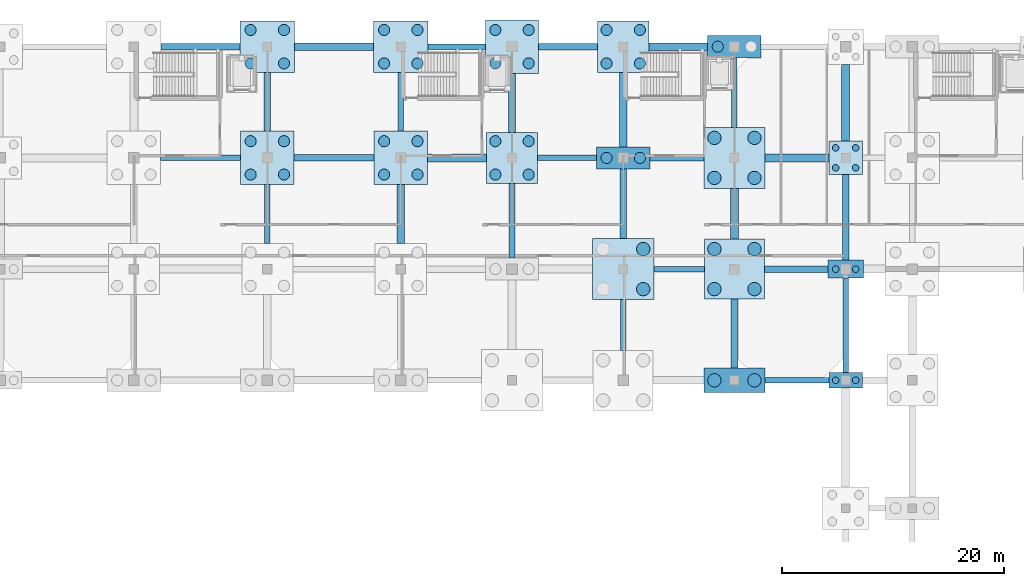
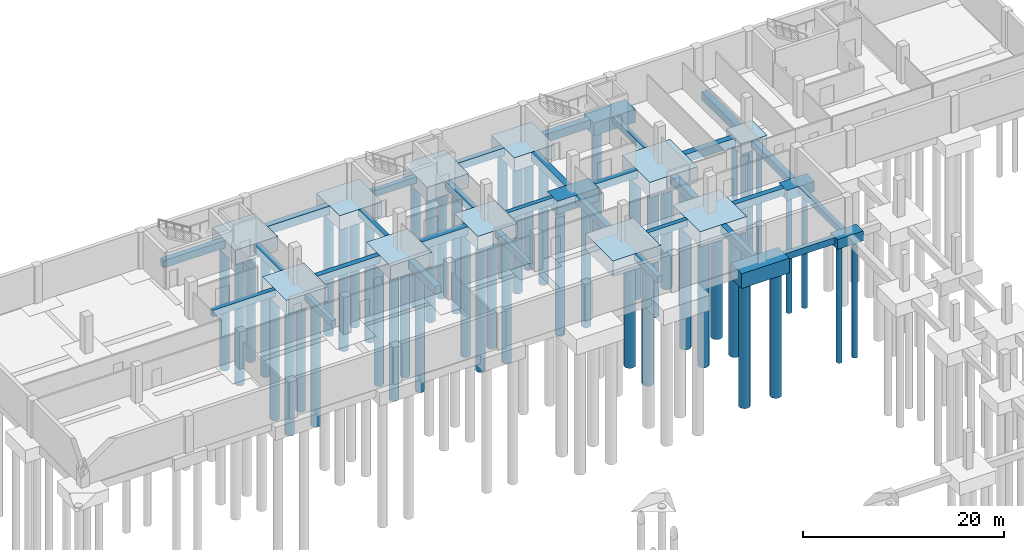
# One storey, part 5 of 19: 51 piles, 45 footings.
"""IFC4 building model written with IfcOpenShell, lengths in metres."""

from ifc_helpers import new_model, si_unit, direction, frame, origin, origin_2d, place, context, subcontext, project, spatial, polyline, rectangle, circle, outline, extrude, material, material_profile, profile_set, type_object, element, save


model = new_model("IFC4")

# Units and contexts
model_context = context("Model", 3, precision=1e-05, world=origin(), true_north=direction((0.0, 1.0)))
body_context = subcontext(model_context, "Body", "Model", "MODEL_VIEW")
ifc_project = project(units=[si_unit("LENGTHUNIT", "METRE"), si_unit("AREAUNIT", "SQUARE_METRE"), si_unit("VOLUMEUNIT", "CUBIC_METRE"), si_unit("PLANEANGLEUNIT", "RADIAN"), si_unit("MASSUNIT", "GRAM", prefix="KILO")], contexts=[model_context])

# Site, building, storey
site_placement = place(None, origin())
site = spatial("IfcSite", under=ifc_project, at=site_placement, CompositionType="ELEMENT")
building_placement = place(site_placement, origin())
building = spatial("IfcBuilding", under=site, at=building_placement, Name="Mersad Railyard Sports Hall", CompositionType="ELEMENT")
storey_placement = place(building_placement, frame((0.0, 0.0, -4.5)))
storey = spatial("IfcBuildingStorey", under=building, at=storey_placement, Name="B1", CompositionType="ELEMENT", Elevation=-4.5)

# Footings
ifc_material = material(Name="Concrete C40/50", Category="concrete")
footing_type_1 = type_object("IfcFootingType", Name="STR-FT-FB01", PredefinedType="FOOTING_BEAM", material=ifc_material)
footing_1_placement = place(storey_placement, frame((0.0, 0.0, -0.800048828125)))
element("IfcFooting", 1, at=footing_1_placement, inside=storey, type_object=footing_type_1, Name="Ground beam FB01-0064", PredefinedType="FOOTING_BEAM", context=body_context, shape_type="SweptSolid", body=[
    extrude(outline(polyline([(123.75, 84.75), (129.5, 84.75), (129.5, 85.25), (123.75, 85.25), (123.75, 84.75)])), origin(), (0.0, 0.0, 1.0), 0.800048828125),
])
footing_2_placement = place(storey_placement, frame((0.0, 0.0, -0.800048828125)))
element("IfcFooting", 2, at=footing_2_placement, inside=storey, type_object=footing_type_1, Name="Ground beam FB01-0073", PredefinedType="FOOTING_BEAM", context=body_context, shape_type="SweptSolid", body=[
    extrude(outline(polyline([(113.75, 94.75), (118.300048828125, 94.75), (118.300048828125, 95.25), (113.75, 95.25), (113.75, 94.75)])), origin(), (0.0, 0.0, 1.0), 0.800048828125),
])
footing_3_placement = place(storey_placement, frame((0.0, 0.0, -0.800048828125)))
element("IfcFooting", 3, at=footing_3_placement, inside=storey, type_object=footing_type_1, Name="Ground beam FB01-0082", PredefinedType="FOOTING_BEAM", context=body_context, shape_type="SweptSolid", body=[
    extrude(outline(polyline([(69.39990234375, 104.75), (76.60009765625, 104.75), (76.60009765625, 105.25), (69.39990234375, 105.25), (69.39990234375, 104.75)])), origin(), (0.0, 0.0, 1.0), 0.800048828125),
])
footing_4_placement = place(storey_placement, frame((0.0, 0.0, -0.800048828125)))
element("IfcFooting", 4, at=footing_4_placement, inside=storey, type_object=footing_type_1, Name="Ground beam FB01-0085", PredefinedType="FOOTING_BEAM", context=body_context, shape_type="SweptSolid", body=[
    extrude(outline(polyline([(103.300048828125, 104.75), (108.60009765625, 104.75), (108.60009765625, 105.25), (103.300048828125, 105.25), (103.300048828125, 104.75)])), origin(), (0.0, 0.0, 1.0), 0.800048828125),
])
footing_5_placement = place(storey_placement, frame((0.0, 0.0, -0.800048828125)))
element("IfcFooting", 5, at=footing_5_placement, inside=storey, type_object=footing_type_1, Name="Ground beam FB01-0097", PredefinedType="FOOTING_BEAM", context=body_context, shape_type="SweptSolid", body=[
    extrude(outline(polyline([(93.449951171875, 114.75), (98.60009765625, 114.75), (98.60009765625, 115.25), (93.449951171875, 115.25), (93.449951171875, 114.75)])), origin(), (0.0, 0.0, 1.0), 0.800048828125),
])
footing_6_placement = place(storey_placement, frame((0.0, 0.0, -0.800048828125)))
element("IfcFooting", 6, at=footing_6_placement, inside=storey, type_object=footing_type_1, Name="Ground beam FB01-0130", PredefinedType="FOOTING_BEAM", context=body_context, shape_type="SweptSolid", body=[
    extrude(outline(polyline([(78.75, 97.300048828125), (79.25, 97.300048828125), (79.25, 102.60009765625), (78.75, 102.60009765625), (78.75, 97.300048828125)])), origin(), (0.0, 0.0, 1.0), 0.800048828125),
])
footing_7_placement = place(storey_placement, frame((0.0, 0.0, -0.800048828125)))
element("IfcFooting", 7, at=footing_7_placement, inside=storey, type_object=footing_type_1, Name="Ground beam FB01-0136", PredefinedType="FOOTING_BEAM", context=body_context, shape_type="SweptSolid", body=[
    extrude(outline(polyline([(90.75, 107.39990234375), (91.25, 107.39990234375), (91.25, 112.699951171875), (90.75, 112.699951171875), (90.75, 107.39990234375)])), origin(), (0.0, 0.0, 1.0), 0.800048828125),
])
footing_8_placement = place(storey_placement, frame((0.0, 0.0, -0.800048828125)))
element("IfcFooting", 8, at=footing_8_placement, inside=storey, type_object=footing_type_1, Name="Ground beam FB01-0139", PredefinedType="FOOTING_BEAM", context=body_context, shape_type="SweptSolid", body=[
    extrude(outline(polyline([(100.75, 96.0), (101.25, 96.0), (101.25, 102.699951171875), (100.75, 102.699951171875), (100.75, 96.0)])), origin(), (0.0, 0.0, 1.0), 0.800048828125),
])
footing_9_placement = place(storey_placement, frame((0.0, 0.0, -0.800048828125)))
element("IfcFooting", 9, at=footing_9_placement, inside=storey, type_object=footing_type_1, Name="Ground beam FB01-0142", PredefinedType="FOOTING_BEAM", context=body_context, shape_type="SweptSolid", body=[
    extrude(outline(polyline([(110.75, 87.699951171875), (111.25, 87.699951171875), (111.25, 92.25), (110.75, 92.25), (110.75, 87.699951171875)])), origin(), (0.0, 0.0, 1.0), 0.800048828125),
])
footing_10_placement = place(storey_placement, frame((0.0, 0.0, -0.800048828125)))
element("IfcFooting", 10, at=footing_10_placement, inside=storey, type_object=footing_type_1, Name="Ground beam FB01-0148", PredefinedType="FOOTING_BEAM", context=body_context, shape_type="SweptSolid", body=[
    extrude(outline(polyline([(120.75, 107.75), (121.25, 107.75), (121.25, 114.0), (120.75, 114.0), (120.75, 107.75)])), origin(), (0.0, 0.0, 1.0), 0.800048828125),
])
footing_11_placement = place(storey_placement, frame((0.0, 0.0, -0.800048828125)))
element("IfcFooting", 11, at=footing_11_placement, inside=storey, type_object=footing_type_1, Name="Ground beam FB01-0157", PredefinedType="FOOTING_BEAM", context=body_context, shape_type="SweptSolid", body=[
    extrude(outline(polyline([(130.75, 85.699951171875), (131.25, 85.699951171875), (131.25, 94.199951171875), (130.75, 94.199951171875), (130.75, 85.699951171875)])), origin(), (0.0, 0.0, 1.0), 0.800048828125),
])
footing_type_2 = type_object("IfcFootingType", Name="STR-FT-FB02", PredefinedType="FOOTING_BEAM", material=ifc_material)
footing_12_placement = place(storey_placement, frame((0.0, 0.0, -0.89990234375)))
element("IfcFooting", 12, at=footing_12_placement, inside=storey, type_object=footing_type_2, Name="Ground beam FB02-0074", PredefinedType="FOOTING_BEAM", context=body_context, shape_type="SweptSolid", body=[
    extrude(outline(polyline([(123.699951171875, 94.699951171875), (129.39990234375, 94.699951171875), (129.39990234375, 95.300048828125), (123.699951171875, 95.300048828125), (123.699951171875, 94.699951171875)])), origin(), (0.0, 0.0, 1.0), 0.89990234375),
])
footing_13_placement = place(storey_placement, frame((0.0, 0.0, -0.89990234375)))
element("IfcFooting", 13, at=footing_13_placement, inside=storey, type_object=footing_type_2, Name="Ground beam FB02-0083", PredefinedType="FOOTING_BEAM", context=body_context, shape_type="SweptSolid", body=[
    extrude(outline(polyline([(81.39990234375, 104.699951171875), (88.60009765625, 104.699951171875), (88.60009765625, 105.300048828125), (81.39990234375, 105.300048828125), (81.39990234375, 104.699951171875)])), origin(), (0.0, 0.0, 1.0), 0.89990234375),
])
footing_14_placement = place(storey_placement, frame((0.0, 0.0, -0.89990234375)))
element("IfcFooting", 14, at=footing_14_placement, inside=storey, type_object=footing_type_2, Name="Ground beam FB02-0086", PredefinedType="FOOTING_BEAM", context=body_context, shape_type="SweptSolid", body=[
    extrude(outline(polyline([(113.39990234375, 104.699951171875), (118.25, 104.699951171875), (118.25, 105.300048828125), (113.39990234375, 105.300048828125), (113.39990234375, 104.699951171875)])), origin(), (0.0, 0.0, 1.0), 0.89990234375),
])
footing_15_placement = place(storey_placement, frame((0.0, 0.0, -0.89990234375)))
element("IfcFooting", 15, at=footing_15_placement, inside=storey, type_object=footing_type_2, Name="Ground beam FB02-0095", PredefinedType="FOOTING_BEAM", context=body_context, shape_type="SweptSolid", body=[
    extrude(outline(polyline([(69.449951171875, 114.699951171875), (76.550048828125, 114.699951171875), (76.550048828125, 115.300048828125), (69.449951171875, 115.300048828125), (69.449951171875, 114.699951171875)])), origin(), (0.0, 0.0, 1.0), 0.89990234375),
])
footing_16_placement = place(storey_placement, frame((0.0, 0.0, -0.89990234375)))
element("IfcFooting", 16, at=footing_16_placement, inside=storey, type_object=footing_type_2, Name="Ground beam FB02-0098", PredefinedType="FOOTING_BEAM", context=body_context, shape_type="SweptSolid", body=[
    extrude(outline(polyline([(103.39990234375, 114.699951171875), (108.699951171875, 114.699951171875), (108.699951171875, 115.300048828125), (103.39990234375, 115.300048828125), (103.39990234375, 114.699951171875)])), origin(), (0.0, 0.0, 1.0), 0.89990234375),
])
footing_17_placement = place(storey_placement, frame((0.0, 0.0, -0.89990234375)))
element("IfcFooting", 17, at=footing_17_placement, inside=storey, type_object=footing_type_2, Name="Ground beam FB02-0131", PredefinedType="FOOTING_BEAM", context=body_context, shape_type="SweptSolid", body=[
    extrude(outline(polyline([(78.699951171875, 107.39990234375), (79.300048828125, 107.39990234375), (79.300048828125, 112.699951171875), (78.699951171875, 112.699951171875), (78.699951171875, 107.39990234375)])), origin(), (0.0, 0.0, 1.0), 0.89990234375),
])
footing_18_placement = place(storey_placement, frame((0.0, 0.0, -0.89990234375)))
element("IfcFooting", 18, at=footing_18_placement, inside=storey, type_object=footing_type_2, Name="Ground beam FB02-0140", PredefinedType="FOOTING_BEAM", context=body_context, shape_type="SweptSolid", body=[
    extrude(outline(polyline([(100.699951171875, 107.300048828125), (101.300048828125, 107.300048828125), (101.300048828125, 112.60009765625), (100.699951171875, 112.60009765625), (100.699951171875, 107.300048828125)])), origin(), (0.0, 0.0, 1.0), 0.89990234375),
])
footing_19_placement = place(storey_placement, frame((0.0, 0.0, -0.89990234375)))
element("IfcFooting", 19, at=footing_19_placement, inside=storey, type_object=footing_type_2, Name="Ground beam FB02-0143", PredefinedType="FOOTING_BEAM", context=body_context, shape_type="SweptSolid", body=[
    extrude(outline(polyline([(110.699951171875, 97.75), (111.300048828125, 97.75), (111.300048828125, 104.0), (110.699951171875, 104.0), (110.699951171875, 97.75)])), origin(), (0.0, 0.0, 1.0), 0.89990234375),
])
footing_20_placement = place(storey_placement, frame((0.0, 0.0, -0.89990234375)))
element("IfcFooting", 20, at=footing_20_placement, inside=storey, type_object=footing_type_2, Name="Ground beam FB02-0146", PredefinedType="FOOTING_BEAM", context=body_context, shape_type="SweptSolid", body=[
    extrude(outline(polyline([(120.699951171875, 86.10009765625), (121.300048828125, 86.10009765625), (121.300048828125, 92.300048828125), (120.699951171875, 92.300048828125), (120.699951171875, 86.10009765625)])), origin(), (0.0, 0.0, 1.0), 0.89990234375),
])
footing_21_placement = place(storey_placement, frame((0.0, 0.0, -0.89990234375)))
element("IfcFooting", 21, at=footing_21_placement, inside=storey, type_object=footing_type_2, Name="Ground beam FB02-0158", PredefinedType="FOOTING_BEAM", context=body_context, shape_type="SweptSolid", body=[
    extrude(outline(polyline([(130.699951171875, 95.800048828125), (131.300048828125, 95.800048828125), (131.300048828125, 103.5), (130.699951171875, 103.5), (130.699951171875, 95.800048828125)])), origin(), (0.0, 0.0, 1.0), 0.89990234375),
])
footing_type_3 = type_object("IfcFootingType", Name="STR-FT-FB03", PredefinedType="FOOTING_BEAM", material=ifc_material)
footing_22_placement = place(storey_placement, frame((0.0, 0.0, -1.0)))
element("IfcFooting", 22, at=footing_22_placement, inside=storey, type_object=footing_type_3, Name="Ground beam FB03-0084", PredefinedType="FOOTING_BEAM", context=body_context, shape_type="SweptSolid", body=[
    extrude(outline(polyline([(93.39990234375, 104.64990234375), (98.699951171875, 104.64990234375), (98.699951171875, 105.35009765625), (93.39990234375, 105.35009765625), (93.39990234375, 104.64990234375)])), origin(), (0.0, 0.0, 1.0), 1.0),
])
footing_23_placement = place(storey_placement, frame((0.0, 0.0, -1.0)))
element("IfcFooting", 23, at=footing_23_placement, inside=storey, type_object=footing_type_3, Name="Ground beam FB03-0087", PredefinedType="FOOTING_BEAM", context=body_context, shape_type="SweptSolid", body=[
    extrude(outline(polyline([(123.75, 104.64990234375), (129.5, 104.64990234375), (129.5, 105.35009765625), (123.75, 105.35009765625), (123.75, 104.64990234375)])), origin(), (0.0, 0.0, 1.0), 1.0),
])
footing_24_placement = place(storey_placement, frame((0.0, 0.0, -1.0)))
element("IfcFooting", 24, at=footing_24_placement, inside=storey, type_object=footing_type_3, Name="Ground beam FB03-0096", PredefinedType="FOOTING_BEAM", context=body_context, shape_type="SweptSolid", body=[
    extrude(outline(polyline([(81.449951171875, 114.64990234375), (88.550048828125, 114.64990234375), (88.550048828125, 115.35009765625), (81.449951171875, 115.35009765625), (81.449951171875, 114.64990234375)])), origin(), (0.0, 0.0, 1.0), 1.0),
])
footing_25_placement = place(storey_placement, frame((0.0, 0.0, -1.0)))
element("IfcFooting", 25, at=footing_25_placement, inside=storey, type_object=footing_type_3, Name="Ground beam FB03-0099", PredefinedType="FOOTING_BEAM", context=body_context, shape_type="SweptSolid", body=[
    extrude(outline(polyline([(113.300048828125, 114.64990234375), (118.60009765625, 114.64990234375), (118.60009765625, 115.35009765625), (113.300048828125, 115.35009765625), (113.300048828125, 114.64990234375)])), origin(), (0.0, 0.0, 1.0), 1.0),
])
footing_26_placement = place(storey_placement, frame((0.0, 0.0, -1.0)))
element("IfcFooting", 26, at=footing_26_placement, inside=storey, type_object=footing_type_3, Name="Ground beam FB03-0135", PredefinedType="FOOTING_BEAM", context=body_context, shape_type="SweptSolid", body=[
    extrude(outline(polyline([(90.64990234375, 97.300048828125), (91.35009765625, 97.300048828125), (91.35009765625, 102.60009765625), (90.64990234375, 102.60009765625), (90.64990234375, 97.300048828125)])), origin(), (0.0, 0.0, 1.0), 1.0),
])
footing_27_placement = place(storey_placement, frame((0.0, 0.0, -1.0)))
element("IfcFooting", 27, at=footing_27_placement, inside=storey, type_object=footing_type_3, Name="Ground beam FB03-0144", PredefinedType="FOOTING_BEAM", context=body_context, shape_type="SweptSolid", body=[
    extrude(outline(polyline([(110.64990234375, 106.0), (111.35009765625, 106.0), (111.35009765625, 112.699951171875), (110.64990234375, 112.699951171875), (110.64990234375, 106.0)])), origin(), (0.0, 0.0, 1.0), 1.0),
])
footing_28_placement = place(storey_placement, frame((0.0, 0.0, -1.0)))
element("IfcFooting", 28, at=footing_28_placement, inside=storey, type_object=footing_type_3, Name="Ground beam FB03-0147", PredefinedType="FOOTING_BEAM", context=body_context, shape_type="SweptSolid", body=[
    extrude(outline(polyline([(120.64990234375, 97.699951171875), (121.35009765625, 97.699951171875), (121.35009765625, 102.25), (120.64990234375, 102.25), (120.64990234375, 97.699951171875)])), origin(), (0.0, 0.0, 1.0), 1.0),
])
footing_29_placement = place(storey_placement, frame((0.0, 0.0, -1.0)))
element("IfcFooting", 29, at=footing_29_placement, inside=storey, type_object=footing_type_3, Name="Ground beam FB03-0159", PredefinedType="FOOTING_BEAM", context=body_context, shape_type="SweptSolid", body=[
    extrude(outline(polyline([(130.64990234375, 106.5), (131.35009765625, 106.5), (131.35009765625, 113.39990234375), (130.64990234375, 113.39990234375), (130.64990234375, 106.5)])), origin(), (0.0, 0.0, 1.0), 1.0),
])
footing_type_4 = type_object("IfcFootingType", Name="STR-FT-PC01", PredefinedType="PILE_CAP", material=ifc_material)
footing_30_placement = place(storey_placement, frame((131.0, 85.0, -1.2001953125), z_axis=(0.0, 0.0, 1.0), x_axis=(1.0, 0.0, 0.0)))
element("IfcFooting", 30, at=footing_30_placement, inside=storey, type_object=footing_type_4, Name="Pile cap PC01 at (131.0,85.0)", PredefinedType="PILE_CAP", context=body_context, shape_type="SweptSolid", body=[
    extrude(rectangle(XDim=3.0, YDim=1.39990234375, at=origin_2d()), origin(), (0.0, 0.0, 1.0), 1.199951171875),
])
footing_type_5 = type_object("IfcFootingType", Name="STR-FT-PC02", PredefinedType="PILE_CAP", material=ifc_material)
footing_31_placement = place(storey_placement, frame((131.0, 95.0, -1.25), z_axis=(0.0, 0.0, 1.0), x_axis=(1.0, 0.0, 0.0)))
element("IfcFooting", 31, at=footing_31_placement, inside=storey, type_object=footing_type_5, Name="Pile cap PC02 at (131.0,95.0)", PredefinedType="PILE_CAP", context=body_context, shape_type="SweptSolid", body=[
    extrude(rectangle(XDim=3.199951171875, YDim=1.60009765625, at=origin_2d()), origin(), (0.0, 0.0, 1.0), 1.25),
])
footing_type_6 = type_object("IfcFootingType", Name="STR-FT-PC03", PredefinedType="PILE_CAP", material=ifc_material)
footing_32_placement = place(storey_placement, frame((131.0, 105.0, -1.2998046875), z_axis=(0.0, 0.0, 1.0), x_axis=(1.0, 0.0, 0.0)))
element("IfcFooting", 32, at=footing_32_placement, inside=storey, type_object=footing_type_6, Name="Pile cap PC03 at (131.0,105.0)", PredefinedType="PILE_CAP", context=body_context, shape_type="SweptSolid", body=[
    extrude(rectangle(XDim=3.0, YDim=3.0, at=origin_2d()), origin(), (0.0, 0.0, 1.0), 1.300048828125),
])
footing_type_7 = type_object("IfcFootingType", Name="STR-FT-PC11", PredefinedType="PILE_CAP", material=ifc_material)
for number, where, z_axis, x_axis, name in (
    (33, (111.0, 105.0, -1.60009765625), (0.0, 0.0, 1.0), (1.0, 0.0, 0.0), "Pile cap PC11 at (111.0,105.0)"),
    (34, (121.0, 115.0, -1.60009765625), (0.0, 0.0, 1.0), (1.0, 0.0, 0.0), "Pile cap PC11 at (121.0,115.0)"),
):
    element("IfcFooting", number, at=place(storey_placement, frame(where, z_axis=z_axis, x_axis=x_axis)), inside=storey, type_object=footing_type_7, Name=name, PredefinedType="PILE_CAP", context=body_context, shape_type="SweptSolid", body=[
        extrude(rectangle(XDim=4.800048828125, YDim=2.0, at=origin_2d()), origin(), (0.0, 0.0, 1.0), 1.60009765625),
    ])
footing_type_8 = type_object("IfcFootingType", Name="STR-FT-PC12", PredefinedType="PILE_CAP", material=ifc_material)
for number, where, z_axis, x_axis, name in (
    (35, (101.0, 105.0, -1.64990234375), (0.0, 0.0, 1.0), (1.0, 0.0, 0.0), "Pile cap PC12 at (101.0,105.0)"),
    (36, (111.0, 115.0, -1.64990234375), (0.0, 0.0, 1.0), (1.0, 0.0, 0.0), "Pile cap PC12 at (111.0,115.0)"),
):
    element("IfcFooting", number, at=place(storey_placement, frame(where, z_axis=z_axis, x_axis=x_axis)), inside=storey, type_object=footing_type_8, Name=name, PredefinedType="PILE_CAP", context=body_context, shape_type="SweptSolid", body=[
        extrude(rectangle(XDim=4.60009765625, YDim=4.60009765625, at=origin_2d()), origin(), (0.0, 0.0, 1.0), 1.64990234375),
    ])
footing_type_9 = type_object("IfcFootingType", Name="STR-FT-PC13", PredefinedType="PILE_CAP", material=ifc_material)
for number, where, z_axis, x_axis, name in (
    (37, (79.0, 105.0, -1.7001953125), (0.0, 0.0, 1.0), (1.0, 0.0, 0.0), "Pile cap PC13 at (79.0,105.0)"),
    (38, (91.0, 105.0, -1.7001953125), (0.0, 0.0, 1.0), (1.0, 0.0, 0.0), "Pile cap PC13 at (91.0,105.0)"),
    (39, (101.0, 115.0, -1.7001953125), (0.0, 0.0, 1.0), (1.0, 0.0, 0.0), "Pile cap PC13 at (101.0,115.0)"),
):
    element("IfcFooting", number, at=place(storey_placement, frame(where, z_axis=z_axis, x_axis=x_axis)), inside=storey, type_object=footing_type_9, Name=name, PredefinedType="PILE_CAP", context=body_context, shape_type="SweptSolid", body=[
        extrude(rectangle(XDim=4.800048828125, YDim=4.800048828125, at=origin_2d()), origin(), (0.0, 0.0, 1.0), 1.699951171875),
    ])
footing_type_10 = type_object("IfcFootingType", Name="STR-FT-PC14", PredefinedType="PILE_CAP", material=ifc_material)
for number, where, z_axis, x_axis, name in (
    (40, (79.0, 115.0, -1.75), (0.0, 0.0, 1.0), (1.0, 0.0, 0.0), "Pile cap PC14 at (79.0,115.0)"),
    (41, (91.0, 115.0, -1.75), (0.0, 0.0, 1.0), (1.0, 0.0, 0.0), "Pile cap PC14 at (91.0,115.0)"),
):
    element("IfcFooting", number, at=place(storey_placement, frame(where, z_axis=z_axis, x_axis=x_axis)), inside=storey, type_object=footing_type_10, Name=name, PredefinedType="PILE_CAP", context=body_context, shape_type="SweptSolid", body=[
        extrude(rectangle(XDim=4.89990234375, YDim=4.60009765625, at=origin_2d()), origin(), (0.0, 0.0, 1.0), 1.75),
    ])
footing_type_11 = type_object("IfcFootingType", Name="STR-FT-PC16", PredefinedType="PILE_CAP", material=ifc_material)
footing_33_placement = place(storey_placement, frame((121.0, 85.0, -1.7998046875), z_axis=(0.0, 0.0, 1.0), x_axis=(1.0, 0.0, 0.0)))
element("IfcFooting", 42, at=footing_33_placement, inside=storey, type_object=footing_type_11, Name="Pile cap PC16 at (121.0,85.0)", PredefinedType="PILE_CAP", context=body_context, shape_type="SweptSolid", body=[
    extrude(rectangle(XDim=5.5, YDim=2.199951171875, at=origin_2d()), origin(), (0.0, 0.0, 1.0), 1.800048828125),
])
footing_type_12 = type_object("IfcFootingType", Name="STR-FT-PC17", PredefinedType="PILE_CAP", material=ifc_material)
footing_34_placement = place(storey_placement, frame((121.0, 95.0, -1.85009765625), z_axis=(0.0, 0.0, 1.0), x_axis=(1.0, 0.0, 0.0)))
element("IfcFooting", 43, at=footing_34_placement, inside=storey, type_object=footing_type_12, Name="Pile cap PC17 at (121.0,95.0)", PredefinedType="PILE_CAP", context=body_context, shape_type="SweptSolid", body=[
    extrude(rectangle(XDim=5.39990234375, YDim=5.39990234375, at=origin_2d()), origin(), (0.0, 0.0, 1.0), 1.85009765625),
])
footing_type_13 = type_object("IfcFootingType", Name="STR-FT-PC18", PredefinedType="PILE_CAP", material=ifc_material)
for number, where, z_axis, x_axis, name in (
    (44, (111.0, 95.0, -1.89990234375), (0.0, 0.0, 1.0), (1.0, 0.0, 0.0), "Pile cap PC18 at (111.0,95.0)"),
    (45, (121.0, 105.0, -1.89990234375), (0.0, 0.0, 1.0), (1.0, 0.0, 0.0), "Pile cap PC18 at (121.0,105.0)"),
):
    element("IfcFooting", number, at=place(storey_placement, frame(where, z_axis=z_axis, x_axis=x_axis)), inside=storey, type_object=footing_type_13, Name=name, PredefinedType="PILE_CAP", context=body_context, shape_type="SweptSolid", body=[
        extrude(rectangle(XDim=5.5, YDim=5.5, at=origin_2d()), origin(), (0.0, 0.0, 1.0), 1.89990234375),
    ])

# Piles
ifc_material_profile_1 = material_profile(ifc_material, circle(Radius=0.5, at=origin_2d()), Name="BORED PILE D1000")
ifc_profile_set_1 = profile_set([ifc_material_profile_1], Name="Concrete C40/50")
pile_type_1 = type_object("IfcPileType", Name="STR-PL-P1000", PredefinedType="BORED", material=ifc_profile_set_1)
for number, where, z_axis, x_axis, name in (
    (46, (77.5, 103.5, -1.550048828125), (0.0, 0.0, -1.0), (1.0, 0.0, 0.0), "Bored pile PL03-0135"),
    (47, (80.5, 103.5, -1.550048828125), (0.0, 0.0, -1.0), (1.0, 0.0, 0.0), "Bored pile PL03-0136"),
    (48, (77.5, 106.5, -1.550048828125), (0.0, 0.0, -1.0), (1.0, 0.0, 0.0), "Bored pile PL03-0137"),
    (49, (80.5, 106.5, -1.550048828125), (0.0, 0.0, -1.0), (1.0, 0.0, 0.0), "Bored pile PL03-0138"),
):
    element("IfcPile", number, at=place(storey_placement, frame(where, z_axis=z_axis, x_axis=x_axis)), inside=storey, type_object=pile_type_1, Name=name, PredefinedType="BORED", context=body_context, shape_type="SweptSolid", body=[
        extrude(circle(Radius=0.5, at=origin_2d()), origin(), (0.0, 0.0, 1.0), 15.449951171875),
    ])
for number, where, z_axis, x_axis, name in (
    (50, (77.5, 113.5, -1.60009765625), (0.0, 0.0, -1.0), (1.0, 0.0, 0.0), "Bored pile PL03-0139"),
    (51, (80.5, 113.5, -1.60009765625), (0.0, 0.0, -1.0), (1.0, 0.0, 0.0), "Bored pile PL03-0140"),
    (52, (77.5, 116.5, -1.60009765625), (0.0, 0.0, -1.0), (1.0, 0.0, 0.0), "Bored pile PL03-0141"),
    (53, (80.5, 116.5, -1.60009765625), (0.0, 0.0, -1.0), (1.0, 0.0, 0.0), "Bored pile PL03-0142"),
):
    element("IfcPile", number, at=place(storey_placement, frame(where, z_axis=z_axis, x_axis=x_axis)), inside=storey, type_object=pile_type_1, Name=name, PredefinedType="BORED", context=body_context, shape_type="SweptSolid", body=[
        extrude(circle(Radius=0.5, at=origin_2d()), origin(), (0.0, 0.0, 1.0), 15.39990234375),
    ])
for number, where, z_axis, x_axis, name in (
    (54, (89.5, 103.5, -1.550048828125), (0.0, 0.0, -1.0), (1.0, 0.0, 0.0), "Bored pile PL03-0161"),
    (55, (92.5, 103.5, -1.550048828125), (0.0, 0.0, -1.0), (1.0, 0.0, 0.0), "Bored pile PL03-0162"),
    (56, (89.5, 106.5, -1.550048828125), (0.0, 0.0, -1.0), (1.0, 0.0, 0.0), "Bored pile PL03-0163"),
    (57, (92.5, 106.5, -1.550048828125), (0.0, 0.0, -1.0), (1.0, 0.0, 0.0), "Bored pile PL03-0164"),
):
    element("IfcPile", number, at=place(storey_placement, frame(where, z_axis=z_axis, x_axis=x_axis)), inside=storey, type_object=pile_type_1, Name=name, PredefinedType="BORED", context=body_context, shape_type="SweptSolid", body=[
        extrude(circle(Radius=0.5, at=origin_2d()), origin(), (0.0, 0.0, 1.0), 15.449951171875),
    ])
for number, where, z_axis, x_axis, name in (
    (58, (89.5, 113.5, -1.60009765625), (0.0, 0.0, -1.0), (1.0, 0.0, 0.0), "Bored pile PL03-0165"),
    (59, (92.5, 113.5, -1.60009765625), (0.0, 0.0, -1.0), (1.0, 0.0, 0.0), "Bored pile PL03-0166"),
    (60, (89.5, 116.5, -1.60009765625), (0.0, 0.0, -1.0), (1.0, 0.0, 0.0), "Bored pile PL03-0167"),
    (61, (92.5, 116.5, -1.60009765625), (0.0, 0.0, -1.0), (1.0, 0.0, 0.0), "Bored pile PL03-0168"),
):
    element("IfcPile", number, at=place(storey_placement, frame(where, z_axis=z_axis, x_axis=x_axis)), inside=storey, type_object=pile_type_1, Name=name, PredefinedType="BORED", context=body_context, shape_type="SweptSolid", body=[
        extrude(circle(Radius=0.5, at=origin_2d()), origin(), (0.0, 0.0, 1.0), 15.39990234375),
    ])
for number, where, z_axis, x_axis, name in (
    (62, (99.5, 103.5, -1.5), (0.0, 0.0, -1.0), (1.0, 0.0, 0.0), "Bored pile PL03-0181"),
    (63, (102.5, 103.5, -1.5), (0.0, 0.0, -1.0), (1.0, 0.0, 0.0), "Bored pile PL03-0182"),
    (64, (99.5, 106.5, -1.5), (0.0, 0.0, -1.0), (1.0, 0.0, 0.0), "Bored pile PL03-0183"),
    (65, (102.5, 106.5, -1.5), (0.0, 0.0, -1.0), (1.0, 0.0, 0.0), "Bored pile PL03-0184"),
):
    element("IfcPile", number, at=place(storey_placement, frame(where, z_axis=z_axis, x_axis=x_axis)), inside=storey, type_object=pile_type_1, Name=name, PredefinedType="BORED", context=body_context, shape_type="SweptSolid", body=[
        extrude(circle(Radius=0.5, at=origin_2d()), origin(), (0.0, 0.0, 1.0), 15.5),
    ])
for number, where, z_axis, x_axis, name in (
    (66, (99.5, 113.5, -1.550048828125), (0.0, 0.0, -1.0), (1.0, 0.0, 0.0), "Bored pile PL03-0185"),
    (67, (102.5, 113.5, -1.550048828125), (0.0, 0.0, -1.0), (1.0, 0.0, 0.0), "Bored pile PL03-0186"),
    (68, (99.5, 116.5, -1.550048828125), (0.0, 0.0, -1.0), (1.0, 0.0, 0.0), "Bored pile PL03-0187"),
    (69, (102.5, 116.5, -1.550048828125), (0.0, 0.0, -1.0), (1.0, 0.0, 0.0), "Bored pile PL03-0188"),
):
    element("IfcPile", number, at=place(storey_placement, frame(where, z_axis=z_axis, x_axis=x_axis)), inside=storey, type_object=pile_type_1, Name=name, PredefinedType="BORED", context=body_context, shape_type="SweptSolid", body=[
        extrude(circle(Radius=0.5, at=origin_2d()), origin(), (0.0, 0.0, 1.0), 15.449951171875),
    ])
for number, where, z_axis, x_axis, name in (
    (70, (109.5, 105.0, -1.449951171875), (0.0, 0.0, -1.0), (1.0, 0.0, 0.0), "Bored pile PL03-0201"),
    (71, (112.5, 105.0, -1.449951171875), (0.0, 0.0, -1.0), (1.0, 0.0, 0.0), "Bored pile PL03-0202"),
):
    element("IfcPile", number, at=place(storey_placement, frame(where, z_axis=z_axis, x_axis=x_axis)), inside=storey, type_object=pile_type_1, Name=name, PredefinedType="BORED", context=body_context, shape_type="SweptSolid", body=[
        extrude(circle(Radius=0.5, at=origin_2d()), origin(), (0.0, 0.0, 1.0), 15.550048828125),
    ])
for number, where, z_axis, x_axis, name in (
    (72, (109.5, 113.5, -1.5), (0.0, 0.0, -1.0), (1.0, 0.0, 0.0), "Bored pile PL03-0203"),
    (73, (112.5, 113.5, -1.5), (0.0, 0.0, -1.0), (1.0, 0.0, 0.0), "Bored pile PL03-0204"),
    (74, (109.5, 116.5, -1.5), (0.0, 0.0, -1.0), (1.0, 0.0, 0.0), "Bored pile PL03-0205"),
    (75, (112.5, 116.5, -1.5), (0.0, 0.0, -1.0), (1.0, 0.0, 0.0), "Bored pile PL03-0206"),
):
    element("IfcPile", number, at=place(storey_placement, frame(where, z_axis=z_axis, x_axis=x_axis)), inside=storey, type_object=pile_type_1, Name=name, PredefinedType="BORED", context=body_context, shape_type="SweptSolid", body=[
        extrude(circle(Radius=0.5, at=origin_2d()), origin(), (0.0, 0.0, 1.0), 15.5),
    ])
pile_placement = place(storey_placement, frame((119.5, 115.0, -1.449951171875), z_axis=(0.0, 0.0, -1.0), x_axis=(1.0, 0.0, 0.0)))
element("IfcPile", 76, at=pile_placement, inside=storey, type_object=pile_type_1, Name="Bored pile PL03-0225", PredefinedType="BORED", context=body_context, shape_type="SweptSolid", body=[
    extrude(circle(Radius=0.5, at=origin_2d()), origin(), (0.0, 0.0, 1.0), 15.550048828125),
])
ifc_material_profile_2 = material_profile(ifc_material, circle(Radius=0.60009765625, at=origin_2d()), Name="BORED PILE D1200")
ifc_profile_set_2 = profile_set([ifc_material_profile_2], Name="Concrete C40/50")
pile_type_2 = type_object("IfcPileType", Name="STR-PL-P1200", PredefinedType="BORED", material=ifc_profile_set_2)
for number, where, z_axis, x_axis, name in (
    (77, (112.800048828125, 93.199951171875, -1.75), (0.0, 0.0, -1.0), (1.0, 0.0, 0.0), "Bored pile PL04-0198"),
    (78, (112.800048828125, 96.800048828125, -1.75), (0.0, 0.0, -1.0), (1.0, 0.0, 0.0), "Bored pile PL04-0200"),
):
    element("IfcPile", number, at=place(storey_placement, frame(where, z_axis=z_axis, x_axis=x_axis)), inside=storey, type_object=pile_type_2, Name=name, PredefinedType="BORED", context=body_context, shape_type="SweptSolid", body=[
        extrude(circle(Radius=0.60009765625, at=origin_2d()), origin(), (0.0, 0.0, 1.0), 15.25),
    ])
for number, where, z_axis, x_axis, name in (
    (79, (119.199951171875, 85.0, -1.64990234375), (0.0, 0.0, -1.0), (1.0, 0.0, 0.0), "Bored pile PL04-0215"),
    (80, (122.800048828125, 85.0, -1.64990234375), (0.0, 0.0, -1.0), (1.0, 0.0, 0.0), "Bored pile PL04-0216"),
):
    element("IfcPile", number, at=place(storey_placement, frame(where, z_axis=z_axis, x_axis=x_axis)), inside=storey, type_object=pile_type_2, Name=name, PredefinedType="BORED", context=body_context, shape_type="SweptSolid", body=[
        extrude(circle(Radius=0.60009765625, at=origin_2d()), origin(), (0.0, 0.0, 1.0), 15.35009765625),
    ])
for number, where, z_axis, x_axis, name in (
    (81, (119.199951171875, 93.199951171875, -1.699951171875), (0.0, 0.0, -1.0), (1.0, 0.0, 0.0), "Bored pile PL04-0217"),
    (82, (122.800048828125, 93.199951171875, -1.699951171875), (0.0, 0.0, -1.0), (1.0, 0.0, 0.0), "Bored pile PL04-0218"),
    (83, (119.199951171875, 96.800048828125, -1.699951171875), (0.0, 0.0, -1.0), (1.0, 0.0, 0.0), "Bored pile PL04-0219"),
    (84, (122.800048828125, 96.800048828125, -1.699951171875), (0.0, 0.0, -1.0), (1.0, 0.0, 0.0), "Bored pile PL04-0220"),
):
    element("IfcPile", number, at=place(storey_placement, frame(where, z_axis=z_axis, x_axis=x_axis)), inside=storey, type_object=pile_type_2, Name=name, PredefinedType="BORED", context=body_context, shape_type="SweptSolid", body=[
        extrude(circle(Radius=0.60009765625, at=origin_2d()), origin(), (0.0, 0.0, 1.0), 15.300048828125),
    ])
for number, where, z_axis, x_axis, name in (
    (85, (119.199951171875, 103.199951171875, -1.75), (0.0, 0.0, -1.0), (1.0, 0.0, 0.0), "Bored pile PL04-0221"),
    (86, (122.800048828125, 103.199951171875, -1.75), (0.0, 0.0, -1.0), (1.0, 0.0, 0.0), "Bored pile PL04-0222"),
    (87, (119.199951171875, 106.800048828125, -1.75), (0.0, 0.0, -1.0), (1.0, 0.0, 0.0), "Bored pile PL04-0223"),
    (88, (122.800048828125, 106.800048828125, -1.75), (0.0, 0.0, -1.0), (1.0, 0.0, 0.0), "Bored pile PL04-0224"),
):
    element("IfcPile", number, at=place(storey_placement, frame(where, z_axis=z_axis, x_axis=x_axis)), inside=storey, type_object=pile_type_2, Name=name, PredefinedType="BORED", context=body_context, shape_type="SweptSolid", body=[
        extrude(circle(Radius=0.60009765625, at=origin_2d()), origin(), (0.0, 0.0, 1.0), 15.25),
    ])
ifc_material_profile_3 = material_profile(ifc_material, circle(Radius=0.300048828125, at=origin_2d()), Name="BORED PILE D600")
ifc_profile_set_3 = profile_set([ifc_material_profile_3], Name="Concrete C40/50")
pile_type_3 = type_object("IfcPileType", Name="STR-PL-P600", PredefinedType="BORED", material=ifc_profile_set_3)
for number, where, z_axis, x_axis, name in (
    (89, (130.10009765625, 85.0, -1.050048828125), (0.0, 0.0, -1.0), (1.0, 0.0, 0.0), "Bored pile PL01-0253"),
    (90, (131.89990234375, 85.0, -1.050048828125), (0.0, 0.0, -1.0), (1.0, 0.0, 0.0), "Bored pile PL01-0254"),
):
    element("IfcPile", number, at=place(storey_placement, frame(where, z_axis=z_axis, x_axis=x_axis)), inside=storey, type_object=pile_type_3, Name=name, PredefinedType="BORED", context=body_context, shape_type="SweptSolid", body=[
        extrude(circle(Radius=0.300048828125, at=origin_2d()), origin(), (0.0, 0.0, 1.0), 14.449951171875),
    ])
for number, where, z_axis, x_axis, name in (
    (91, (130.10009765625, 95.0, -1.10009765625), (0.0, 0.0, -1.0), (1.0, 0.0, 0.0), "Bored pile PL01-0255"),
    (92, (131.89990234375, 95.0, -1.10009765625), (0.0, 0.0, -1.0), (1.0, 0.0, 0.0), "Bored pile PL01-0256"),
):
    element("IfcPile", number, at=place(storey_placement, frame(where, z_axis=z_axis, x_axis=x_axis)), inside=storey, type_object=pile_type_3, Name=name, PredefinedType="BORED", context=body_context, shape_type="SweptSolid", body=[
        extrude(circle(Radius=0.300048828125, at=origin_2d()), origin(), (0.0, 0.0, 1.0), 14.39990234375),
    ])
for number, where, z_axis, x_axis, name in (
    (93, (130.10009765625, 104.10009765625, -1.14990234375), (0.0, 0.0, -1.0), (1.0, 0.0, 0.0), "Bored pile PL01-0257"),
    (94, (131.89990234375, 104.10009765625, -1.14990234375), (0.0, 0.0, -1.0), (1.0, 0.0, 0.0), "Bored pile PL01-0258"),
    (95, (130.10009765625, 105.89990234375, -1.14990234375), (0.0, 0.0, -1.0), (1.0, 0.0, 0.0), "Bored pile PL01-0259"),
    (96, (131.89990234375, 105.89990234375, -1.14990234375), (0.0, 0.0, -1.0), (1.0, 0.0, 0.0), "Bored pile PL01-0260"),
):
    element("IfcPile", number, at=place(storey_placement, frame(where, z_axis=z_axis, x_axis=x_axis)), inside=storey, type_object=pile_type_3, Name=name, PredefinedType="BORED", context=body_context, shape_type="SweptSolid", body=[
        extrude(circle(Radius=0.300048828125, at=origin_2d()), origin(), (0.0, 0.0, 1.0), 14.35009765625),
    ])

save(model, "model.ifc")
